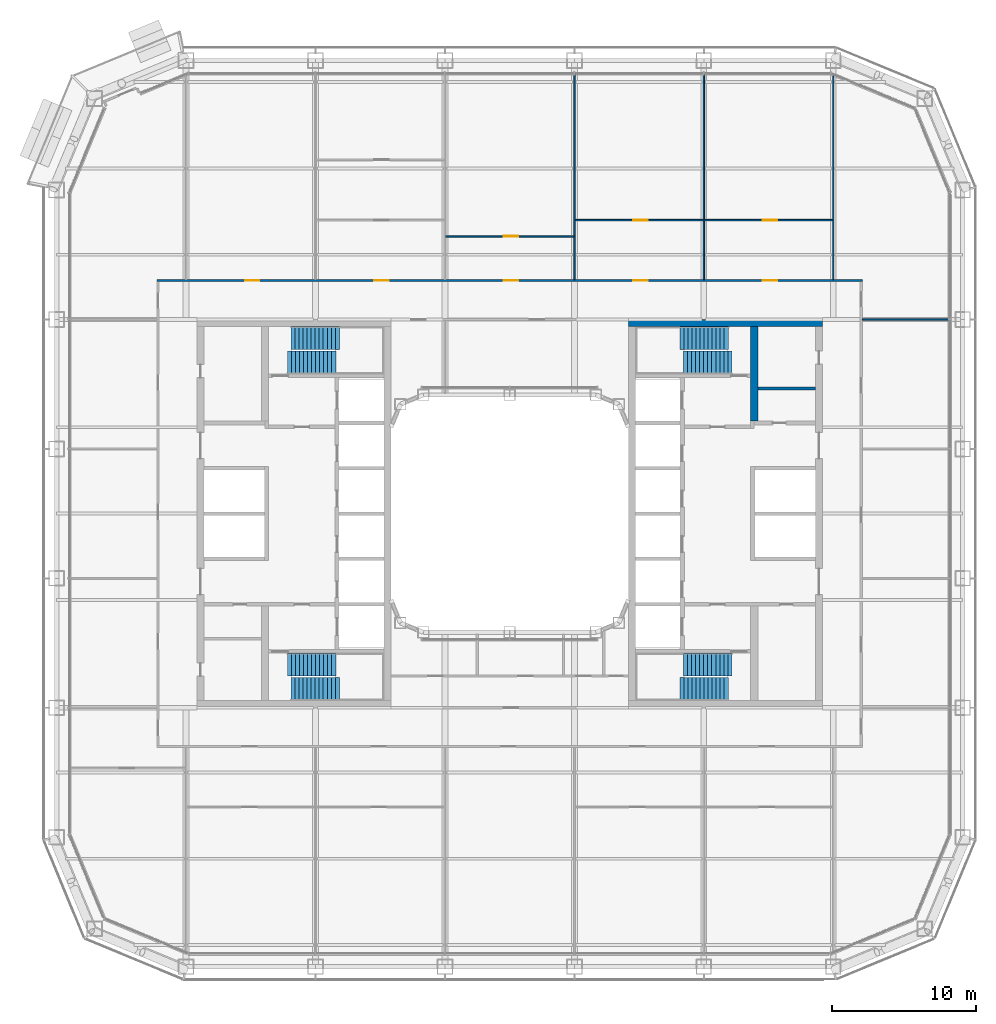
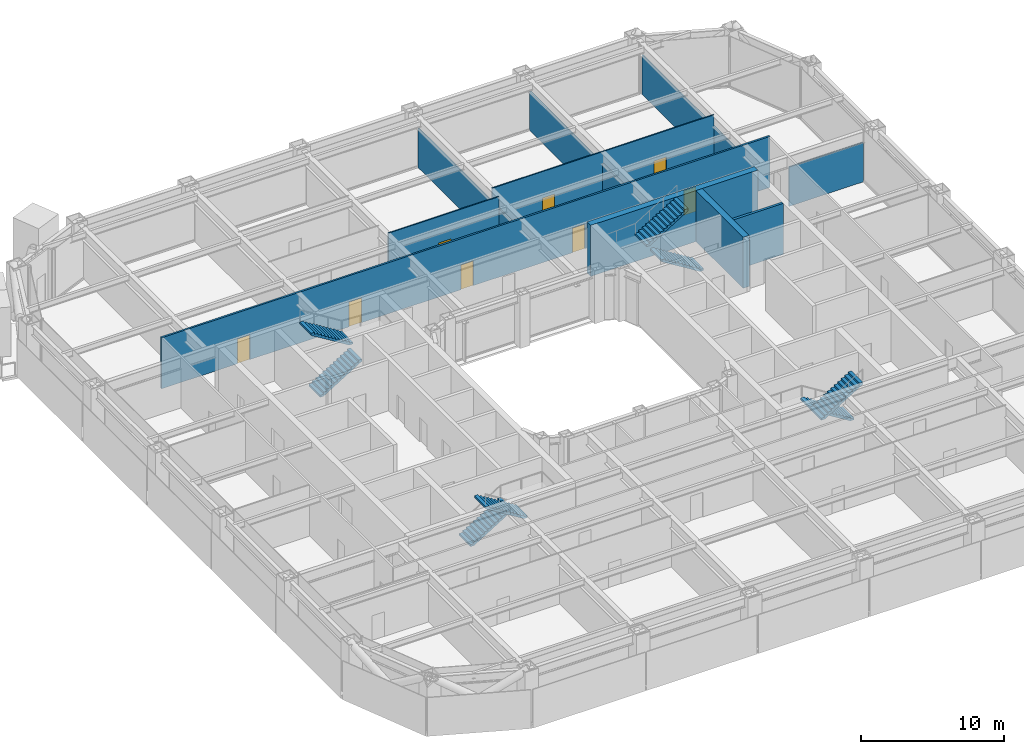
# One storey, part 16 of 28: 11 walls, 8 doors, 8 stair flights, 8 openings, 4 elements without a shape of their own.
"""IFC4 building model written with IfcOpenShell, lengths in metres."""

from ifc_helpers import new_model, si_unit, direction, frame, frame_2d, origin, place, context, subcontext, project, spatial, polyline, rectangle, outline, extrude, material, layer, layer_set, type_object, element, fill, aggregate, save


model = new_model("IFC4")

# Units and contexts
model_context = context("Model", 3, precision=1e-05, world=origin(), true_north=direction((0.0, 1.0)))
body_context = subcontext(model_context, "Body", "Model", "MODEL_VIEW")
ifc_project = project(units=[si_unit("LENGTHUNIT", "METRE"), si_unit("AREAUNIT", "SQUARE_METRE"), si_unit("VOLUMEUNIT", "CUBIC_METRE"), si_unit("PLANEANGLEUNIT", "RADIAN"), si_unit("MASSUNIT", "GRAM", prefix="KILO")], contexts=[model_context])

# Site, building, storey
site_placement = place(None, origin())
site = spatial("IfcSite", under=ifc_project, at=site_placement, CompositionType="ELEMENT")
building_placement = place(site_placement, origin())
building = spatial("IfcBuilding", under=site, at=building_placement, Name="Siwar Civic Tower", CompositionType="ELEMENT")
storey_placement = place(building_placement, frame((0.0, 0.0, 31.199951171875)))
storey = spatial("IfcBuildingStorey", under=building, at=storey_placement, Name="L06", CompositionType="ELEMENT", Elevation=31.199951171875)

# Walls
ifc_material_1 = material(Name="Gypsum board on steel studs", Category="steel")
ifc_layer_1 = layer(ifc_material_1, 0.199951171875)
ifc_layer_set_1 = layer_set([ifc_layer_1], Name="Gypsum board on steel studs")
wall_type_1 = type_object("IfcWallType", Name="CORE-PARTITION-200", PredefinedType="PARTITIONING", material=ifc_layer_set_1)
wall_1_placement = place(storey_placement, frame((17.25, 8.699951171875, 0.0), z_axis=(0.0, 0.0, 1.0), x_axis=(1.0, 0.0, 0.0)))
element("IfcWall", 1, at=wall_1_placement, inside=storey, type_object=wall_type_1, Name="Core partition E", PredefinedType="PARTITIONING", context=body_context, shape_type="SweptSolid", body=[
    extrude(rectangle(XDim=4.0, YDim=0.199951171875, at=frame_2d((2.0, 0.0))), origin(), (0.0, 0.0, 1.0), 4.35009765625),
])
ifc_material_2 = material(Name="Concrete C60/75", Category="concrete")
ifc_layer_2 = layer(ifc_material_2, 0.5)
ifc_layer_set_2 = layer_set([ifc_layer_2], Name="Concrete C60/75")
wall_type_2 = type_object("IfcWallType", Name="CORE-WALL-RC500", PredefinedType="SHEAR", material=ifc_layer_set_2)
wall_2_placement = place(storey_placement, frame((17.0, 6.425048828125, 0.0), z_axis=(0.0, 0.0, 1.0), x_axis=(0.0, 1.0, 0.0)))
element("IfcWall", 2, at=wall_2_placement, inside=storey, type_object=wall_type_2, Name="Core wall E", PredefinedType="SHEAR", context=body_context, shape_type="SweptSolid", body=[
    extrude(rectangle(XDim=6.574951171875, YDim=0.5, at=frame_2d((3.28759765625, 0.0))), origin(), (0.0, 0.0, 1.0), 4.35009765625),
])
wall_3_placement = place(storey_placement, frame((8.25, 13.25, 0.0), z_axis=(0.0, 0.0, 1.0), x_axis=(1.0, 0.0, 0.0)))
element("IfcWall", 3, at=wall_3_placement, inside=storey, type_object=wall_type_2, Name="Core wall E", PredefinedType="SHEAR", context=body_context, shape_type="SweptSolid", body=[
    extrude(rectangle(XDim=13.5, YDim=0.5, at=frame_2d((6.75, 0.0))), origin(), (0.0, 0.0, 1.0), 4.35009765625),
])

# Wall, openings, doors
ifc_material_3 = material(Name="Gypsum board on steel studs", Category="steel")
ifc_layer_3 = layer(ifc_material_3, 0.14990234375)
ifc_layer_set_3 = layer_set([ifc_layer_3], Name="Gypsum board on steel studs")
wall_type_3 = type_object("IfcWallType", Name="CORRIDOR PARTITION 150 EI 30", PredefinedType="PARTITIONING", material=ifc_layer_set_3)
wall_4_placement = place(storey_placement, frame((-24.52490234375, 16.199951171875, 0.0), z_axis=(0.0, 0.0, 1.0), x_axis=(1.0, 0.0, 0.0)))
wall_4 = element("IfcWall", 4, at=wall_4_placement, inside=storey, type_object=wall_type_3, Name="L06/wall/P17", PredefinedType="PARTITIONING", context=body_context, shape_type="SweptSolid", body=[
    extrude(rectangle(XDim=49.0498046875, YDim=0.14990234375, at=frame_2d((24.52490234375, 0.0))), origin(), (0.0, 0.0, 1.0), 4.35009765625),
])
opening_1_placement = place(wall_4_placement, frame((6.125, 0.0, 0.0)))
opening_1 = element("IfcOpeningElement", 5, at=opening_1_placement, cuts=wall_4, Name="Opening D1", PredefinedType="OPENING", context=body_context, shape_type="SweptSolid", body=[
    extrude(rectangle(XDim=1.0, YDim=2.10009765625, at=frame_2d((0.5, 1.050048828125))), frame((0.0, 0.0849609375, 0.0), z_axis=(0.0, -1.0, 0.0), x_axis=(1.0, 0.0, 0.0)), (0.0, 0.0, 1.0), 0.169921875),
])
opening_2_placement = place(wall_4_placement, frame((15.125, 0.0, 0.0)))
opening_2 = element("IfcOpeningElement", 6, at=opening_2_placement, cuts=wall_4, Name="Opening D1", PredefinedType="OPENING", context=body_context, shape_type="SweptSolid", body=[
    extrude(rectangle(XDim=1.0, YDim=2.10009765625, at=frame_2d((0.5, 1.050048828125))), frame((0.0, 0.0849609375, 0.0), z_axis=(0.0, -1.0, 0.0), x_axis=(1.0, 0.0, 0.0)), (0.0, 0.0, 1.0), 0.169921875),
])
opening_3_placement = place(wall_4_placement, frame((24.125, 0.0, 0.0)))
opening_3 = element("IfcOpeningElement", 7, at=opening_3_placement, cuts=wall_4, Name="Opening D1", PredefinedType="OPENING", context=body_context, shape_type="SweptSolid", body=[
    extrude(rectangle(XDim=1.0, YDim=2.10009765625, at=frame_2d((0.5, 1.050048828125))), frame((0.0, 0.0849609375, 0.0), z_axis=(0.0, -1.0, 0.0), x_axis=(1.0, 0.0, 0.0)), (0.0, 0.0, 1.0), 0.169921875),
])
opening_4_placement = place(wall_4_placement, frame((33.125, 0.0, 0.0)))
opening_4 = element("IfcOpeningElement", 8, at=opening_4_placement, cuts=wall_4, Name="Opening D1", PredefinedType="OPENING", context=body_context, shape_type="SweptSolid", body=[
    extrude(rectangle(XDim=1.0, YDim=2.10009765625, at=frame_2d((0.5, 1.050048828125))), frame((0.0, 0.0849609375, 0.0), z_axis=(0.0, -1.0, 0.0), x_axis=(1.0, 0.0, 0.0)), (0.0, 0.0, 1.0), 0.169921875),
])
opening_5_placement = place(wall_4_placement, frame((42.125, 0.0, 0.0)))
opening_5 = element("IfcOpeningElement", 9, at=opening_5_placement, cuts=wall_4, Name="Opening D1", PredefinedType="OPENING", context=body_context, shape_type="SweptSolid", body=[
    extrude(rectangle(XDim=1.0, YDim=2.10009765625, at=frame_2d((0.5, 1.050048828125))), frame((0.0, 0.0849609375, 0.0), z_axis=(0.0, -1.0, 0.0), x_axis=(1.0, 0.0, 0.0)), (0.0, 0.0, 1.0), 0.169921875),
])
ifc_material_4 = material(Name="Timber, painted", Category="wood")
door_type_1 = type_object("IfcDoorType", Name="DOOR 1000 X 2100 FD30", OperationType="SINGLE_SWING_LEFT", PredefinedType="DOOR", material=ifc_material_4)
door_1_placement = place(opening_1_placement, origin())
door_1 = element("IfcDoor", 10, at=door_1_placement, inside=storey, type_object=door_type_1, Name="L06-D01", OperationType="SINGLE_SWING_LEFT", OverallHeight=2.10009765625, OverallWidth=1.0, PredefinedType="DOOR", context=body_context, shape_type="SweptSolid", body=[
    extrude(rectangle(XDim=1.0, YDim=2.10009765625, at=frame_2d((0.5, 1.050048828125))), frame((0.0, 0.02490234375, 0.0), z_axis=(0.0, -1.0, 0.0), x_axis=(1.0, 0.0, 0.0)), (0.0, 0.0, 1.0), 0.050048828125),
])
fill(opening_1, door_1)
door_2_placement = place(opening_2_placement, origin())
door_2 = element("IfcDoor", 11, at=door_2_placement, inside=storey, type_object=door_type_1, Name="L06-D02", OperationType="SINGLE_SWING_RIGHT", OverallHeight=2.10009765625, OverallWidth=1.0, PredefinedType="DOOR", context=body_context, shape_type="SweptSolid", body=[
    extrude(rectangle(XDim=1.0, YDim=2.10009765625, at=frame_2d((0.5, 1.050048828125))), frame((0.0, 0.02490234375, 0.0), z_axis=(0.0, -1.0, 0.0), x_axis=(1.0, 0.0, 0.0)), (0.0, 0.0, 1.0), 0.050048828125),
])
fill(opening_2, door_2)
door_3_placement = place(opening_3_placement, origin())
door_3 = element("IfcDoor", 12, at=door_3_placement, inside=storey, type_object=door_type_1, Name="L06-D05", OperationType="SINGLE_SWING_LEFT", OverallHeight=2.10009765625, OverallWidth=1.0, PredefinedType="DOOR", context=body_context, shape_type="SweptSolid", body=[
    extrude(rectangle(XDim=1.0, YDim=2.10009765625, at=frame_2d((0.5, 1.050048828125))), frame((0.0, 0.02490234375, 0.0), z_axis=(0.0, -1.0, 0.0), x_axis=(1.0, 0.0, 0.0)), (0.0, 0.0, 1.0), 0.050048828125),
])
fill(opening_3, door_3)
door_4_placement = place(opening_4_placement, origin())
door_4 = element("IfcDoor", 13, at=door_4_placement, inside=storey, type_object=door_type_1, Name="L06-D07", OperationType="SINGLE_SWING_LEFT", OverallHeight=2.10009765625, OverallWidth=1.0, PredefinedType="DOOR", context=body_context, shape_type="SweptSolid", body=[
    extrude(rectangle(XDim=1.0, YDim=2.10009765625, at=frame_2d((0.5, 1.050048828125))), frame((0.0, 0.02490234375, 0.0), z_axis=(0.0, -1.0, 0.0), x_axis=(1.0, 0.0, 0.0)), (0.0, 0.0, 1.0), 0.050048828125),
])
fill(opening_4, door_4)
door_5_placement = place(opening_5_placement, origin())
door_5 = element("IfcDoor", 14, at=door_5_placement, inside=storey, type_object=door_type_1, Name="L06-D09", OperationType="SINGLE_SWING_LEFT", OverallHeight=2.10009765625, OverallWidth=1.0, PredefinedType="DOOR", context=body_context, shape_type="SweptSolid", body=[
    extrude(rectangle(XDim=1.0, YDim=2.10009765625, at=frame_2d((0.5, 1.050048828125))), frame((0.0, 0.02490234375, 0.0), z_axis=(0.0, -1.0, 0.0), x_axis=(1.0, 0.0, 0.0)), (0.0, 0.0, 1.0), 0.050048828125),
])
fill(opening_5, door_5)

# Wall
ifc_material_5 = material(Name="Gypsum board on steel studs", Category="steel")
ifc_layer_4 = layer(ifc_material_5, 0.10009765625)
ifc_layer_set_4 = layer_set([ifc_layer_4], Name="Gypsum board on steel studs")
wall_type_4 = type_object("IfcWallType", Name="PARTITION 100 GYPSUM", PredefinedType="PARTITIONING", material=ifc_layer_set_4)
wall_5_placement = place(storey_placement, frame((24.52490234375, 13.5, 0.0), z_axis=(0.0, 0.0, 1.0), x_axis=(1.0, 0.0, 0.0)))
element("IfcWall", 15, at=wall_5_placement, inside=storey, type_object=wall_type_4, Name="L06/wall/P15", PredefinedType="PARTITIONING", context=body_context, shape_type="SweptSolid", body=[
    extrude(rectangle(XDim=5.985107421875, YDim=0.10009765625, at=frame_2d((2.99267578125, 0.0))), origin(), (0.0, 0.0, 1.0), 3.35009765625),
])

# Wall, opening, door
wall_6_placement = place(storey_placement, frame((-4.449951171875, 19.280029296875, 0.0), z_axis=(0.0, 0.0, 1.0), x_axis=(1.0, 0.0, 0.0)))
wall_6 = element("IfcWall", 16, at=wall_6_placement, inside=storey, type_object=wall_type_4, Name="L06/wall/P18", PredefinedType="PARTITIONING", context=body_context, shape_type="SweptSolid", body=[
    extrude(rectangle(XDim=8.89990234375, YDim=0.10009765625, at=frame_2d((4.449951171875, 0.0))), origin(), (0.0, 0.0, 1.0), 4.35009765625),
])
opening_6_placement = place(wall_6_placement, frame((4.050048828125, 0.0, 0.0)))
opening_6 = element("IfcOpeningElement", 17, at=opening_6_placement, cuts=wall_6, Name="Opening D2", PredefinedType="OPENING", context=body_context, shape_type="SweptSolid", body=[
    extrude(rectangle(XDim=1.0, YDim=2.10009765625, at=frame_2d((0.5, 1.050048828125))), frame((0.0, 0.06005859375, 0.0), z_axis=(0.0, -1.0, 0.0), x_axis=(1.0, 0.0, 0.0)), (0.0, 0.0, 1.0), 0.1201171875),
])
ifc_material_6 = material(Name="Timber, painted", Category="wood")
door_type_2 = type_object("IfcDoorType", Name="DOOR 1000 X 2100", OperationType="SINGLE_SWING_LEFT", PredefinedType="DOOR", material=ifc_material_6)
door_6_placement = place(opening_6_placement, origin())
door_6 = element("IfcDoor", 18, at=door_6_placement, inside=storey, type_object=door_type_2, Name="L06-D06", OperationType="SINGLE_SWING_RIGHT", OverallHeight=2.10009765625, OverallWidth=1.0, PredefinedType="DOOR", context=body_context, shape_type="SweptSolid", body=[
    extrude(rectangle(XDim=1.0, YDim=2.10009765625, at=frame_2d((0.5, 1.050048828125))), frame((0.0, 0.02490234375, 0.0), z_axis=(0.0, -1.0, 0.0), x_axis=(1.0, 0.0, 0.0)), (0.0, 0.0, 1.0), 0.050048828125),
])
fill(opening_6, door_6)

# Wall, openings, doors
wall_7_placement = place(storey_placement, frame((4.550048828125, 20.39990234375, 0.0), z_axis=(0.0, 0.0, 1.0), x_axis=(1.0, 0.0, 0.0)))
wall_7 = element("IfcWall", 19, at=wall_7_placement, inside=storey, type_object=wall_type_4, Name="L06/wall/P20", PredefinedType="PARTITIONING", context=body_context, shape_type="SweptSolid", body=[
    extrude(rectangle(XDim=17.89990234375, YDim=0.10009765625, at=frame_2d((8.949951171875, 0.0))), origin(), (0.0, 0.0, 1.0), 4.35009765625),
])
opening_7_placement = place(wall_7_placement, frame((4.050048828125, 0.0, 0.0)))
opening_7 = element("IfcOpeningElement", 20, at=opening_7_placement, cuts=wall_7, Name="Opening D2", PredefinedType="OPENING", context=body_context, shape_type="SweptSolid", body=[
    extrude(rectangle(XDim=1.0, YDim=2.10009765625, at=frame_2d((0.5, 1.050048828125))), frame((0.0, 0.06005859375, 0.0), z_axis=(0.0, -1.0, 0.0), x_axis=(1.0, 0.0, 0.0)), (0.0, 0.0, 1.0), 0.1201171875),
])
opening_8_placement = place(wall_7_placement, frame((13.050048828125, 0.0, 0.0)))
opening_8 = element("IfcOpeningElement", 21, at=opening_8_placement, cuts=wall_7, Name="Opening D2", PredefinedType="OPENING", context=body_context, shape_type="SweptSolid", body=[
    extrude(rectangle(XDim=1.0, YDim=2.10009765625, at=frame_2d((0.5, 1.050048828125))), frame((0.0, 0.06005859375, 0.0), z_axis=(0.0, -1.0, 0.0), x_axis=(1.0, 0.0, 0.0)), (0.0, 0.0, 1.0), 0.1201171875),
])
door_7_placement = place(opening_7_placement, origin())
door_7 = element("IfcDoor", 22, at=door_7_placement, inside=storey, type_object=door_type_2, Name="L06-D08", OperationType="SINGLE_SWING_RIGHT", OverallHeight=2.10009765625, OverallWidth=1.0, PredefinedType="DOOR", context=body_context, shape_type="SweptSolid", body=[
    extrude(rectangle(XDim=1.0, YDim=2.10009765625, at=frame_2d((0.5, 1.050048828125))), frame((0.0, 0.02490234375, 0.0), z_axis=(0.0, -1.0, 0.0), x_axis=(1.0, 0.0, 0.0)), (0.0, 0.0, 1.0), 0.050048828125),
])
fill(opening_7, door_7)
door_8_placement = place(opening_8_placement, origin())
door_8 = element("IfcDoor", 23, at=door_8_placement, inside=storey, type_object=door_type_2, Name="L06-D10", OperationType="SINGLE_SWING_RIGHT", OverallHeight=2.10009765625, OverallWidth=1.0, PredefinedType="DOOR", context=body_context, shape_type="SweptSolid", body=[
    extrude(rectangle(XDim=1.0, YDim=2.10009765625, at=frame_2d((0.5, 1.050048828125))), frame((0.0, 0.02490234375, 0.0), z_axis=(0.0, -1.0, 0.0), x_axis=(1.0, 0.0, 0.0)), (0.0, 0.0, 1.0), 0.050048828125),
])
fill(opening_8, door_8)

# Walls
wall_8_placement = place(storey_placement, frame((4.5, 16.27490234375, 0.0), z_axis=(0.0, 0.0, 1.0), x_axis=(0.0, 1.0, 0.0)))
element("IfcWall", 24, at=wall_8_placement, inside=storey, type_object=wall_type_4, Name="L06/wall/P34", PredefinedType="PARTITIONING", context=body_context, shape_type="SweptSolid", body=[
    extrude(rectangle(XDim=14.235107421875, YDim=0.10009765625, at=frame_2d((7.11767578125, 0.0))), origin(), (0.0, 0.0, 1.0), 3.35009765625),
])
wall_9_placement = place(storey_placement, frame((13.5, 16.27490234375, 0.0), z_axis=(0.0, 0.0, 1.0), x_axis=(0.0, 1.0, 0.0)))
element("IfcWall", 25, at=wall_9_placement, inside=storey, type_object=wall_type_4, Name="L06/wall/P38", PredefinedType="PARTITIONING", context=body_context, shape_type="SweptSolid", body=[
    extrude(rectangle(XDim=4.0751953125, YDim=0.10009765625, at=frame_2d((2.03759765625, 0.0))), origin(), (0.0, 0.0, 1.0), 3.35009765625),
])
wall_10_placement = place(storey_placement, frame((13.5, 20.449951171875, 0.0), z_axis=(0.0, 0.0, 1.0), x_axis=(0.0, 1.0, 0.0)))
element("IfcWall", 26, at=wall_10_placement, inside=storey, type_object=wall_type_4, Name="L06/wall/P39", PredefinedType="PARTITIONING", context=body_context, shape_type="SweptSolid", body=[
    extrude(rectangle(XDim=10.06005859375, YDim=0.10009765625, at=frame_2d((5.030029296875, 0.0))), origin(), (0.0, 0.0, 1.0), 3.35009765625),
])
wall_11_placement = place(storey_placement, frame((22.5, 16.27490234375, 0.0), z_axis=(0.0, 0.0, 1.0), x_axis=(0.0, 1.0, 0.0)))
element("IfcWall", 27, at=wall_11_placement, inside=storey, type_object=wall_type_4, Name="L06/wall/P41", PredefinedType="PARTITIONING", context=body_context, shape_type="SweptSolid", body=[
    extrude(rectangle(XDim=14.153076171875, YDim=0.10009765625, at=frame_2d((7.07666015625, 0.0))), origin(), (0.0, 0.0, 1.0), 3.35009765625),
])

# Stair, stair flights
ifc_material_7 = material(Name="Concrete C40/50", Category="concrete")
stair_type = type_object("IfcStairType", Name="CORE-STAIR", PredefinedType="TWO_STRAIGHT_RUN_STAIR", material=ifc_material_7)
stair_1_placement = place(storey_placement, origin())
stair_1 = element("IfcStair", 28, at=stair_1_placement, inside=storey, type_object=stair_type, Name="Exit stair ST1", PredefinedType="TWO_STRAIGHT_RUN_STAIR")
ifc_material_8 = material(Name="Concrete C40/50", Category="concrete")
stair_flight_type = type_object("IfcStairFlightType", Name="CORE-STAIR-FLIGHT", PredefinedType="STRAIGHT", material=ifc_material_8)
stair_flight_1_placement = place(storey_placement, frame((-15.449951171875, 10.5, 0.0), z_axis=(0.0, 0.0, 1.0), x_axis=(1.0, 0.0, 0.0)))
stair_flight_1 = element("IfcStairFlight", 29, at=stair_flight_1_placement, type_object=stair_flight_type, Name="ST1 flight 1", NumberOfRisers=13, NumberOfTreads=12, PredefinedType="STRAIGHT", RiserHeight=0.173076923, TreadLength=0.28, context=body_context, shape_type="SweptSolid", body=[
    extrude(outline(polyline([(0.0, 0.0), (0.0, 0.173095703125), (0.280029296875, 0.173095703125), (0.280029296875, 0.34619140625), (0.56005859375, 0.34619140625), (0.56005859375, 0.519287109375), (0.840087890625, 0.519287109375), (0.840087890625, 0.6923828125), (1.1201171875, 0.6923828125), (1.1201171875, 0.865478515625), (1.39990234375, 0.865478515625), (1.39990234375, 1.03857421875), (1.679931640625, 1.03857421875), (1.679931640625, 1.21142578125), (1.9599609375, 1.21142578125), (1.9599609375, 1.384521484375), (2.239990234375, 1.384521484375), (2.239990234375, 1.5576171875), (2.52001953125, 1.5576171875), (2.52001953125, 1.730712890625), (2.800048828125, 1.730712890625), (2.800048828125, 1.90380859375), (3.080078125, 1.90380859375), (3.080078125, 2.076904296875), (3.360107421875, 2.076904296875), (3.360107421875, 2.25), (3.360107421875, 1.900634765625), (0.28515625, 0.0), (0.0, 0.0)])), frame((0.0, 0.800048828125, 0.0), z_axis=(0.0, -1.0, 0.0), x_axis=(1.0, 0.0, 0.0)), (0.0, 0.0, 1.0), 1.60009765625),
])
stair_flight_2_placement = place(storey_placement, frame((-11.840087890625, 12.199951171875, 2.25), z_axis=(0.0, 0.0, 1.0), x_axis=(-1.0, 0.0, 0.0)))
stair_flight_2 = element("IfcStairFlight", 30, at=stair_flight_2_placement, type_object=stair_flight_type, Name="ST1 flight 2", NumberOfRisers=13, NumberOfTreads=12, PredefinedType="STRAIGHT", RiserHeight=0.173076923, TreadLength=0.28, context=body_context, shape_type="SweptSolid", body=[
    extrude(outline(polyline([(0.0, 0.0), (0.0, 0.173095703125), (0.280029296875, 0.173095703125), (0.280029296875, 0.34619140625), (0.56005859375, 0.34619140625), (0.56005859375, 0.519287109375), (0.840087890625, 0.519287109375), (0.840087890625, 0.6923828125), (1.1201171875, 0.6923828125), (1.1201171875, 0.865478515625), (1.39990234375, 0.865478515625), (1.39990234375, 1.03857421875), (1.679931640625, 1.03857421875), (1.679931640625, 1.21142578125), (1.9599609375, 1.21142578125), (1.9599609375, 1.384521484375), (2.239990234375, 1.384521484375), (2.239990234375, 1.5576171875), (2.52001953125, 1.5576171875), (2.52001953125, 1.730712890625), (2.800048828125, 1.730712890625), (2.800048828125, 1.90380859375), (3.080078125, 1.90380859375), (3.080078125, 2.076904296875), (3.360107421875, 2.076904296875), (3.360107421875, 2.25), (3.360107421875, 1.900634765625), (0.28515625, 0.0), (0.0, 0.0)])), frame((0.0, 0.800048828125, 0.0), z_axis=(0.0, -1.0, 0.0), x_axis=(1.0, 0.0, 0.0)), (0.0, 0.0, 1.0), 1.60009765625),
])
aggregate(stair_1, [stair_flight_1, stair_flight_2])

stair_2_placement = place(storey_placement, origin())
stair_2 = element("IfcStair", 31, at=stair_2_placement, inside=storey, type_object=stair_type, Name="Exit stair ST2", PredefinedType="TWO_STRAIGHT_RUN_STAIR")
stair_flight_3_placement = place(storey_placement, frame((-15.449951171875, -10.5, 0.0), z_axis=(0.0, 0.0, 1.0), x_axis=(1.0, 0.0, 0.0)))
stair_flight_3 = element("IfcStairFlight", 32, at=stair_flight_3_placement, type_object=stair_flight_type, Name="ST2 flight 1", NumberOfRisers=13, NumberOfTreads=12, PredefinedType="STRAIGHT", RiserHeight=0.173076923, TreadLength=0.28, context=body_context, shape_type="SweptSolid", body=[
    extrude(outline(polyline([(0.0, 0.0), (0.0, 0.173095703125), (0.280029296875, 0.173095703125), (0.280029296875, 0.34619140625), (0.56005859375, 0.34619140625), (0.56005859375, 0.519287109375), (0.840087890625, 0.519287109375), (0.840087890625, 0.6923828125), (1.1201171875, 0.6923828125), (1.1201171875, 0.865478515625), (1.39990234375, 0.865478515625), (1.39990234375, 1.03857421875), (1.679931640625, 1.03857421875), (1.679931640625, 1.21142578125), (1.9599609375, 1.21142578125), (1.9599609375, 1.384521484375), (2.239990234375, 1.384521484375), (2.239990234375, 1.5576171875), (2.52001953125, 1.5576171875), (2.52001953125, 1.730712890625), (2.800048828125, 1.730712890625), (2.800048828125, 1.90380859375), (3.080078125, 1.90380859375), (3.080078125, 2.076904296875), (3.360107421875, 2.076904296875), (3.360107421875, 2.25), (3.360107421875, 1.900634765625), (0.28515625, 0.0), (0.0, 0.0)])), frame((0.0, 0.800048828125, 0.0), z_axis=(0.0, -1.0, 0.0), x_axis=(1.0, 0.0, 0.0)), (0.0, 0.0, 1.0), 1.60009765625),
])
stair_flight_4_placement = place(storey_placement, frame((-11.840087890625, -12.199951171875, 2.25), z_axis=(0.0, 0.0, 1.0), x_axis=(-1.0, 0.0, 0.0)))
stair_flight_4 = element("IfcStairFlight", 33, at=stair_flight_4_placement, type_object=stair_flight_type, Name="ST2 flight 2", NumberOfRisers=13, NumberOfTreads=12, PredefinedType="STRAIGHT", RiserHeight=0.173076923, TreadLength=0.28, context=body_context, shape_type="SweptSolid", body=[
    extrude(outline(polyline([(0.0, 0.0), (0.0, 0.173095703125), (0.280029296875, 0.173095703125), (0.280029296875, 0.34619140625), (0.56005859375, 0.34619140625), (0.56005859375, 0.519287109375), (0.840087890625, 0.519287109375), (0.840087890625, 0.6923828125), (1.1201171875, 0.6923828125), (1.1201171875, 0.865478515625), (1.39990234375, 0.865478515625), (1.39990234375, 1.03857421875), (1.679931640625, 1.03857421875), (1.679931640625, 1.21142578125), (1.9599609375, 1.21142578125), (1.9599609375, 1.384521484375), (2.239990234375, 1.384521484375), (2.239990234375, 1.5576171875), (2.52001953125, 1.5576171875), (2.52001953125, 1.730712890625), (2.800048828125, 1.730712890625), (2.800048828125, 1.90380859375), (3.080078125, 1.90380859375), (3.080078125, 2.076904296875), (3.360107421875, 2.076904296875), (3.360107421875, 2.25), (3.360107421875, 1.900634765625), (0.28515625, 0.0), (0.0, 0.0)])), frame((0.0, 0.800048828125, 0.0), z_axis=(0.0, -1.0, 0.0), x_axis=(1.0, 0.0, 0.0)), (0.0, 0.0, 1.0), 1.60009765625),
])
aggregate(stair_2, [stair_flight_3, stair_flight_4])

stair_3_placement = place(storey_placement, origin())
stair_3 = element("IfcStair", 34, at=stair_3_placement, inside=storey, type_object=stair_type, Name="Exit stair ST3", PredefinedType="TWO_STRAIGHT_RUN_STAIR")
stair_flight_5_placement = place(storey_placement, frame((15.449951171875, 10.5, 0.0), z_axis=(0.0, 0.0, 1.0), x_axis=(-1.0, 0.0, 0.0)))
stair_flight_5 = element("IfcStairFlight", 35, at=stair_flight_5_placement, type_object=stair_flight_type, Name="ST3 flight 1", NumberOfRisers=13, NumberOfTreads=12, PredefinedType="STRAIGHT", RiserHeight=0.173076923, TreadLength=0.28, context=body_context, shape_type="SweptSolid", body=[
    extrude(outline(polyline([(0.0, 0.0), (0.0, 0.173095703125), (0.280029296875, 0.173095703125), (0.280029296875, 0.34619140625), (0.56005859375, 0.34619140625), (0.56005859375, 0.519287109375), (0.840087890625, 0.519287109375), (0.840087890625, 0.6923828125), (1.1201171875, 0.6923828125), (1.1201171875, 0.865478515625), (1.39990234375, 0.865478515625), (1.39990234375, 1.03857421875), (1.679931640625, 1.03857421875), (1.679931640625, 1.21142578125), (1.9599609375, 1.21142578125), (1.9599609375, 1.384521484375), (2.239990234375, 1.384521484375), (2.239990234375, 1.5576171875), (2.52001953125, 1.5576171875), (2.52001953125, 1.730712890625), (2.800048828125, 1.730712890625), (2.800048828125, 1.90380859375), (3.080078125, 1.90380859375), (3.080078125, 2.076904296875), (3.360107421875, 2.076904296875), (3.360107421875, 2.25), (3.360107421875, 1.900634765625), (0.28515625, 0.0), (0.0, 0.0)])), frame((0.0, 0.800048828125, 0.0), z_axis=(0.0, -1.0, 0.0), x_axis=(1.0, 0.0, 0.0)), (0.0, 0.0, 1.0), 1.60009765625),
])
stair_flight_6_placement = place(storey_placement, frame((11.840087890625, 12.199951171875, 2.25), z_axis=(0.0, 0.0, 1.0), x_axis=(1.0, 0.0, 0.0)))
stair_flight_6 = element("IfcStairFlight", 36, at=stair_flight_6_placement, type_object=stair_flight_type, Name="ST3 flight 2", NumberOfRisers=13, NumberOfTreads=12, PredefinedType="STRAIGHT", RiserHeight=0.173076923, TreadLength=0.28, context=body_context, shape_type="SweptSolid", body=[
    extrude(outline(polyline([(0.0, 0.0), (0.0, 0.173095703125), (0.280029296875, 0.173095703125), (0.280029296875, 0.34619140625), (0.56005859375, 0.34619140625), (0.56005859375, 0.519287109375), (0.840087890625, 0.519287109375), (0.840087890625, 0.6923828125), (1.1201171875, 0.6923828125), (1.1201171875, 0.865478515625), (1.39990234375, 0.865478515625), (1.39990234375, 1.03857421875), (1.679931640625, 1.03857421875), (1.679931640625, 1.21142578125), (1.9599609375, 1.21142578125), (1.9599609375, 1.384521484375), (2.239990234375, 1.384521484375), (2.239990234375, 1.5576171875), (2.52001953125, 1.5576171875), (2.52001953125, 1.730712890625), (2.800048828125, 1.730712890625), (2.800048828125, 1.90380859375), (3.080078125, 1.90380859375), (3.080078125, 2.076904296875), (3.360107421875, 2.076904296875), (3.360107421875, 2.25), (3.360107421875, 1.900634765625), (0.28515625, 0.0), (0.0, 0.0)])), frame((0.0, 0.800048828125, 0.0), z_axis=(0.0, -1.0, 0.0), x_axis=(1.0, 0.0, 0.0)), (0.0, 0.0, 1.0), 1.60009765625),
])
aggregate(stair_3, [stair_flight_5, stair_flight_6])

stair_4_placement = place(storey_placement, origin())
stair_4 = element("IfcStair", 37, at=stair_4_placement, inside=storey, type_object=stair_type, Name="Exit stair ST4", PredefinedType="TWO_STRAIGHT_RUN_STAIR")
stair_flight_7_placement = place(storey_placement, frame((15.449951171875, -10.5, 0.0), z_axis=(0.0, 0.0, 1.0), x_axis=(-1.0, 0.0, 0.0)))
stair_flight_7 = element("IfcStairFlight", 38, at=stair_flight_7_placement, type_object=stair_flight_type, Name="ST4 flight 1", NumberOfRisers=13, NumberOfTreads=12, PredefinedType="STRAIGHT", RiserHeight=0.173076923, TreadLength=0.28, context=body_context, shape_type="SweptSolid", body=[
    extrude(outline(polyline([(0.0, 0.0), (0.0, 0.173095703125), (0.280029296875, 0.173095703125), (0.280029296875, 0.34619140625), (0.56005859375, 0.34619140625), (0.56005859375, 0.519287109375), (0.840087890625, 0.519287109375), (0.840087890625, 0.6923828125), (1.1201171875, 0.6923828125), (1.1201171875, 0.865478515625), (1.39990234375, 0.865478515625), (1.39990234375, 1.03857421875), (1.679931640625, 1.03857421875), (1.679931640625, 1.21142578125), (1.9599609375, 1.21142578125), (1.9599609375, 1.384521484375), (2.239990234375, 1.384521484375), (2.239990234375, 1.5576171875), (2.52001953125, 1.5576171875), (2.52001953125, 1.730712890625), (2.800048828125, 1.730712890625), (2.800048828125, 1.90380859375), (3.080078125, 1.90380859375), (3.080078125, 2.076904296875), (3.360107421875, 2.076904296875), (3.360107421875, 2.25), (3.360107421875, 1.900634765625), (0.28515625, 0.0), (0.0, 0.0)])), frame((0.0, 0.800048828125, 0.0), z_axis=(0.0, -1.0, 0.0), x_axis=(1.0, 0.0, 0.0)), (0.0, 0.0, 1.0), 1.60009765625),
])
stair_flight_8_placement = place(storey_placement, frame((11.840087890625, -12.199951171875, 2.25), z_axis=(0.0, 0.0, 1.0), x_axis=(1.0, 0.0, 0.0)))
stair_flight_8 = element("IfcStairFlight", 39, at=stair_flight_8_placement, type_object=stair_flight_type, Name="ST4 flight 2", NumberOfRisers=13, NumberOfTreads=12, PredefinedType="STRAIGHT", RiserHeight=0.173076923, TreadLength=0.28, context=body_context, shape_type="SweptSolid", body=[
    extrude(outline(polyline([(0.0, 0.0), (0.0, 0.173095703125), (0.280029296875, 0.173095703125), (0.280029296875, 0.34619140625), (0.56005859375, 0.34619140625), (0.56005859375, 0.519287109375), (0.840087890625, 0.519287109375), (0.840087890625, 0.6923828125), (1.1201171875, 0.6923828125), (1.1201171875, 0.865478515625), (1.39990234375, 0.865478515625), (1.39990234375, 1.03857421875), (1.679931640625, 1.03857421875), (1.679931640625, 1.21142578125), (1.9599609375, 1.21142578125), (1.9599609375, 1.384521484375), (2.239990234375, 1.384521484375), (2.239990234375, 1.5576171875), (2.52001953125, 1.5576171875), (2.52001953125, 1.730712890625), (2.800048828125, 1.730712890625), (2.800048828125, 1.90380859375), (3.080078125, 1.90380859375), (3.080078125, 2.076904296875), (3.360107421875, 2.076904296875), (3.360107421875, 2.25), (3.360107421875, 1.900634765625), (0.28515625, 0.0), (0.0, 0.0)])), frame((0.0, 0.800048828125, 0.0), z_axis=(0.0, -1.0, 0.0), x_axis=(1.0, 0.0, 0.0)), (0.0, 0.0, 1.0), 1.60009765625),
])
aggregate(stair_4, [stair_flight_7, stair_flight_8])

save(model, "model.ifc")
